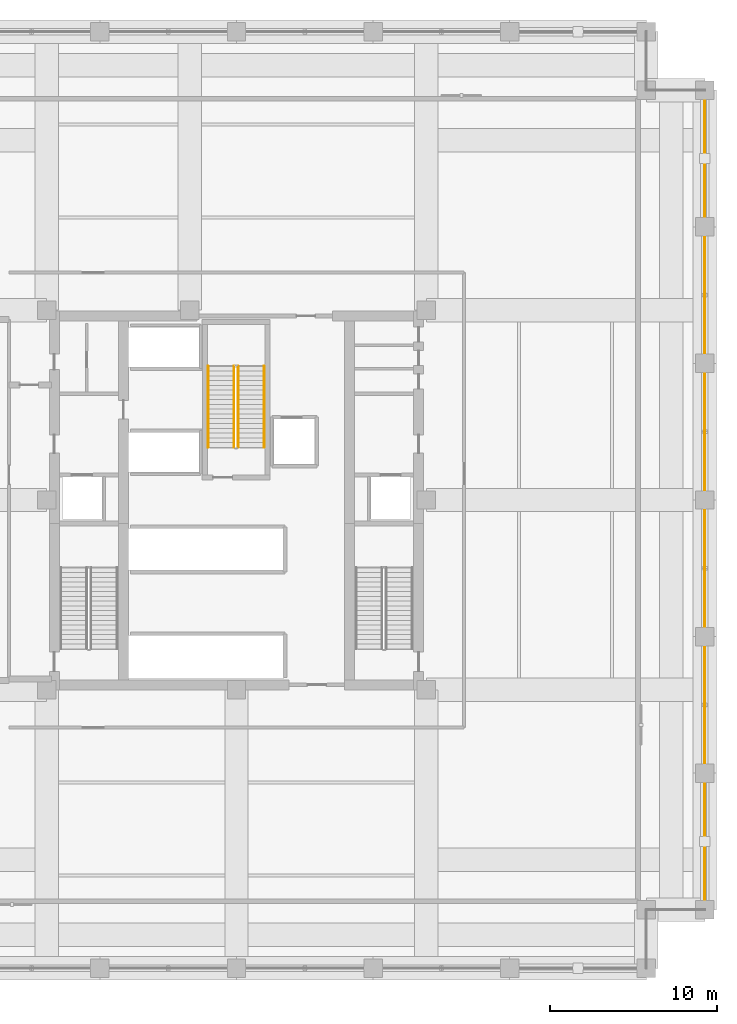
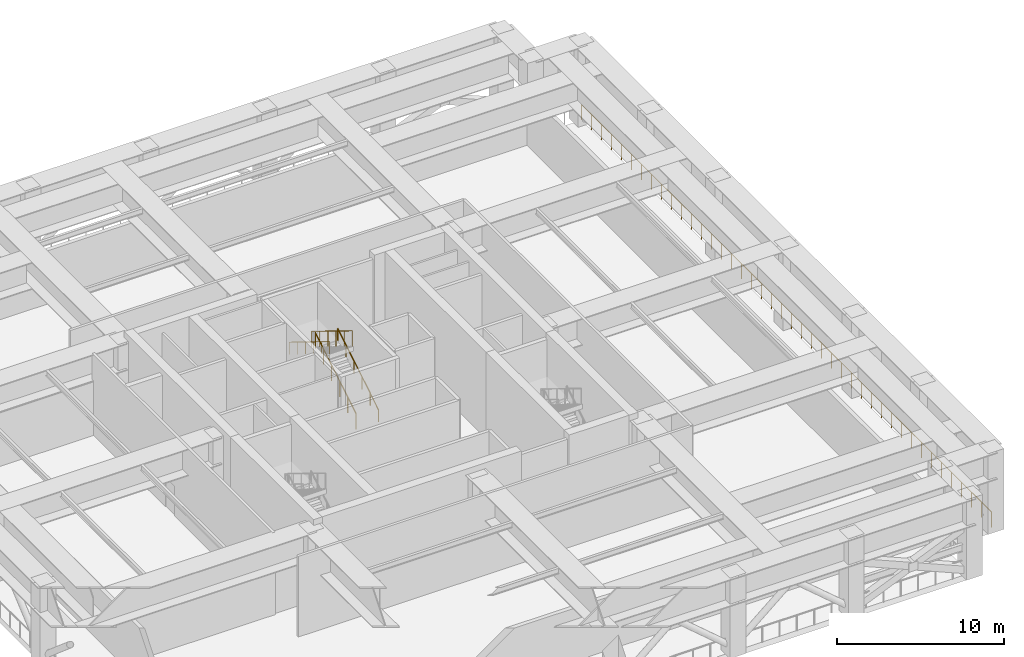
# One storey, part 10 of 12: 5 railings.
"""IFC4 building model written with IfcOpenShell, lengths in metres."""

from ifc_helpers import new_model, si_unit, direction, frame, origin, origin_2d, place, context, subcontext, project, spatial, circle, extrude, material, type_object, element, save


model = new_model("IFC4")

# Units and contexts
model_context = context("Model", 3, precision=1e-05, world=origin(), true_north=direction((0.0, 1.0)))
body_context = subcontext(model_context, "Body", "Model", "MODEL_VIEW")
ifc_project = project(units=[si_unit("LENGTHUNIT", "METRE"), si_unit("AREAUNIT", "SQUARE_METRE"), si_unit("VOLUMEUNIT", "CUBIC_METRE"), si_unit("PLANEANGLEUNIT", "RADIAN"), si_unit("MASSUNIT", "GRAM", prefix="KILO")], contexts=[model_context])

# Site, building, storey
site_placement = place(None, origin())
site = spatial("IfcSite", under=ifc_project, at=site_placement, CompositionType="ELEMENT")
building_placement = place(site_placement, origin())
building = spatial("IfcBuilding", under=site, at=building_placement, Name="Nhamokura Convention Tower", CompositionType="ELEMENT")
storey_placement = place(building_placement, frame((0.0, 0.0, 99.75)))
storey = spatial("IfcBuildingStorey", under=building, at=storey_placement, Name="L24", CompositionType="ELEMENT", Elevation=99.75)

# Railings
ifc_material_1 = material(Name="Anodised bronze stainless steel", Category="steel")
railing_type_1 = type_object("IfcRailingType", Name="StairWallHandrail_900", PredefinedType="HANDRAIL", material=ifc_material_1)
railing_1_placement = place(storey_placement, frame((33.64990234375, 35.14990234375, 0.175048828125)))
element("IfcRailing", 1, at=railing_1_placement, inside=storey, type_object=railing_type_1, Name="L24 ST-03 stair handrail 1", PredefinedType="HANDRAIL", context=body_context, shape_type="SweptSolid", body=[
    extrude(circle(Radius=0.02392578125, at=origin_2d()), frame((0.0, 0.0, 0.8759765625), z_axis=(0.0, 0.852193059838, 0.52322747325), x_axis=(-1.0, 0.0, 0.0)), (0.0, 0.0, 1.0), 5.685546875),
    extrude(circle(Radius=0.02099609375, at=origin_2d()), origin(), (0.0, 0.0, 1.0), 0.851806640625),
    extrude(circle(Radius=0.02099609375, at=origin_2d()), frame((0.0, 0.968994140625, 0.594970703125)), (0.0, 0.0, 1.0), 0.851806640625),
    extrude(circle(Radius=0.02099609375, at=origin_2d()), frame((0.0, 1.93798828125, 1.18994140625)), (0.0, 0.0, 1.0), 0.851806640625),
    extrude(circle(Radius=0.02099609375, at=origin_2d()), frame((0.0, 2.9072265625, 1.784912109375)), (0.0, 0.0, 1.0), 0.851806640625),
    extrude(circle(Radius=0.02099609375, at=origin_2d()), frame((0.0, 3.876220703125, 2.3798828125)), (0.0, 0.0, 1.0), 0.851806640625),
    extrude(circle(Radius=0.02099609375, at=origin_2d()), frame((0.0, 4.84521484375, 2.974853515625)), (0.0, 0.0, 1.0), 0.851806640625),
])
railing_2_placement = place(storey_placement, frame((30.300048828125, 39.9951171875, 3.324951171875)))
element("IfcRailing", 2, at=railing_2_placement, inside=storey, type_object=railing_type_1, Name="L24 ST-03 stair handrail 2", PredefinedType="HANDRAIL", context=body_context, shape_type="SweptSolid", body=[
    extrude(circle(Radius=0.02392578125, at=origin_2d()), frame((0.0, 0.0, 0.8759765625), z_axis=(0.0, -0.852173913015, 0.523258656858), x_axis=(1.0, 0.0, 0.0)), (0.0, 0.0, 1.0), 5.685791015625),
    extrude(circle(Radius=0.02099609375, at=origin_2d()), origin(), (0.0, 0.0, 1.0), 0.851806640625),
    extrude(circle(Radius=0.02099609375, at=origin_2d()), frame((0.0, -0.968994140625, 0.594970703125)), (0.0, 0.0, 1.0), 0.851806640625),
    extrude(circle(Radius=0.02099609375, at=origin_2d()), frame((0.0, -1.93798828125, 1.18994140625)), (0.0, 0.0, 1.0), 0.851806640625),
    extrude(circle(Radius=0.02099609375, at=origin_2d()), frame((0.0, -2.9072265625, 1.78515625)), (0.0, 0.0, 1.0), 0.851806640625),
    extrude(circle(Radius=0.02099609375, at=origin_2d()), frame((0.0, -3.876220703125, 2.380126953125)), (0.0, 0.0, 1.0), 0.851806640625),
    extrude(circle(Radius=0.02099609375, at=origin_2d()), frame((0.0, -4.84521484375, 2.97509765625)), (0.0, 0.0, 1.0), 0.851806640625),
])
ifc_material_2 = material(Name="Painted tubular steel", Category="steel")
railing_type_2 = type_object("IfcRailingType", Name="StairWellGuardrail_1150", PredefinedType="GUARDRAIL", material=ifc_material_2)
railing_3_placement = place(storey_placement, frame((32.10009765625, 35.14990234375, 0.175048828125)))
element("IfcRailing", 3, at=railing_3_placement, inside=storey, type_object=railing_type_2, Name="L24 ST-03 stair guard 1", PredefinedType="GUARDRAIL", context=body_context, shape_type="SweptSolid", body=[
    extrude(circle(Radius=0.02392578125, at=origin_2d()), frame((0.0, 0.0, 1.1259765625), z_axis=(0.0, 0.852193059838, 0.52322747325), x_axis=(-1.0, 0.0, 0.0)), (0.0, 0.0, 1.0), 5.685546875),
    extrude(circle(Radius=0.02099609375, at=origin_2d()), origin(), (0.0, 0.0, 1.0), 1.101806640625),
    extrude(circle(Radius=0.02099609375, at=origin_2d()), frame((0.0, 0.968994140625, 0.594970703125)), (0.0, 0.0, 1.0), 1.101806640625),
    extrude(circle(Radius=0.02099609375, at=origin_2d()), frame((0.0, 1.93798828125, 1.18994140625)), (0.0, 0.0, 1.0), 1.101806640625),
    extrude(circle(Radius=0.02099609375, at=origin_2d()), frame((0.0, 2.9072265625, 1.784912109375)), (0.0, 0.0, 1.0), 1.101806640625),
    extrude(circle(Radius=0.02099609375, at=origin_2d()), frame((0.0, 3.876220703125, 2.3798828125)), (0.0, 0.0, 1.0), 1.101806640625),
    extrude(circle(Radius=0.02099609375, at=origin_2d()), frame((0.0, 4.84521484375, 2.974853515625)), (0.0, 0.0, 1.0), 1.101806640625),
])
railing_4_placement = place(storey_placement, frame((31.85009765625, 39.9951171875, 3.324951171875)))
element("IfcRailing", 4, at=railing_4_placement, inside=storey, type_object=railing_type_2, Name="L24 ST-03 stair guard 3", PredefinedType="GUARDRAIL", context=body_context, shape_type="SweptSolid", body=[
    extrude(circle(Radius=0.02392578125, at=origin_2d()), frame((0.0, 0.0, 1.1259765625), z_axis=(0.0, -0.852173913015, 0.523258656858), x_axis=(1.0, 0.0, 0.0)), (0.0, 0.0, 1.0), 5.685791015625),
    extrude(circle(Radius=0.02099609375, at=origin_2d()), origin(), (0.0, 0.0, 1.0), 1.101806640625),
    extrude(circle(Radius=0.02099609375, at=origin_2d()), frame((0.0, -0.968994140625, 0.594970703125)), (0.0, 0.0, 1.0), 1.101806640625),
    extrude(circle(Radius=0.02099609375, at=origin_2d()), frame((0.0, -1.93798828125, 1.18994140625)), (0.0, 0.0, 1.0), 1.101806640625),
    extrude(circle(Radius=0.02099609375, at=origin_2d()), frame((0.0, -2.9072265625, 1.78515625)), (0.0, 0.0, 1.0), 1.101806640625),
    extrude(circle(Radius=0.02099609375, at=origin_2d()), frame((0.0, -3.876220703125, 2.380126953125)), (0.0, 0.0, 1.0), 1.101806640625),
    extrude(circle(Radius=0.02099609375, at=origin_2d()), frame((0.0, -4.84521484375, 2.97509765625)), (0.0, 0.0, 1.0), 1.101806640625),
])
ifc_material_3 = material(Name="Anodised bronze stainless steel", Category="steel")
railing_type_3 = type_object("IfcRailingType", Name="TerraceGuardrail_1150", PredefinedType="GUARDRAIL", material=ifc_material_3)
railing_5_placement = place(storey_placement, frame((60.0, 7.5, 0.0)))
element("IfcRailing", 5, at=railing_5_placement, inside=storey, type_object=railing_type_3, Name="L24 Perimeter Guardrail 04", PredefinedType="GUARDRAIL", context=body_context, shape_type="SweptSolid", body=[
    extrude(circle(Radius=0.02392578125, at=origin_2d()), frame((0.0, 0.0, 1.1259765625), z_axis=(0.0, 1.0, 0.0), x_axis=(-1.0, 0.0, 0.0)), (0.0, 0.0, 1.0), 49.0),
    extrude(circle(Radius=0.02099609375, at=origin_2d()), origin(), (0.0, 0.0, 1.0), 1.101806640625),
    extrude(circle(Radius=0.02099609375, at=origin_2d()), frame((0.0, 1.195068359375, 0.0)), (0.0, 0.0, 1.0), 1.101806640625),
    extrude(circle(Radius=0.02099609375, at=origin_2d()), frame((0.0, 2.39013671875, 0.0)), (0.0, 0.0, 1.0), 1.101806640625),
    extrude(circle(Radius=0.02099609375, at=origin_2d()), frame((0.0, 3.58544921875, 0.0)), (0.0, 0.0, 1.0), 1.101806640625),
    extrude(circle(Radius=0.02099609375, at=origin_2d()), frame((0.0, 4.780517578125, 0.0)), (0.0, 0.0, 1.0), 1.101806640625),
    extrude(circle(Radius=0.02099609375, at=origin_2d()), frame((0.0, 5.9755859375, 0.0)), (0.0, 0.0, 1.0), 1.101806640625),
    extrude(circle(Radius=0.02099609375, at=origin_2d()), frame((0.0, 7.170654296875, 0.0)), (0.0, 0.0, 1.0), 1.101806640625),
    extrude(circle(Radius=0.02099609375, at=origin_2d()), frame((0.0, 8.365966796875, 0.0)), (0.0, 0.0, 1.0), 1.101806640625),
    extrude(circle(Radius=0.02099609375, at=origin_2d()), frame((0.0, 9.56103515625, 0.0)), (0.0, 0.0, 1.0), 1.101806640625),
    extrude(circle(Radius=0.02099609375, at=origin_2d()), frame((0.0, 10.756103515625, 0.0)), (0.0, 0.0, 1.0), 1.101806640625),
    extrude(circle(Radius=0.02099609375, at=origin_2d()), frame((0.0, 11.951171875, 0.0)), (0.0, 0.0, 1.0), 1.101806640625),
    extrude(circle(Radius=0.02099609375, at=origin_2d()), frame((0.0, 13.146240234375, 0.0)), (0.0, 0.0, 1.0), 1.101806640625),
    extrude(circle(Radius=0.02099609375, at=origin_2d()), frame((0.0, 14.341552734375, 0.0)), (0.0, 0.0, 1.0), 1.101806640625),
    extrude(circle(Radius=0.02099609375, at=origin_2d()), frame((0.0, 15.53662109375, 0.0)), (0.0, 0.0, 1.0), 1.101806640625),
    extrude(circle(Radius=0.02099609375, at=origin_2d()), frame((0.0, 16.731689453125, 0.0)), (0.0, 0.0, 1.0), 1.101806640625),
    extrude(circle(Radius=0.02099609375, at=origin_2d()), frame((0.0, 17.9267578125, 0.0)), (0.0, 0.0, 1.0), 1.101806640625),
    extrude(circle(Radius=0.02099609375, at=origin_2d()), frame((0.0, 19.1220703125, 0.0)), (0.0, 0.0, 1.0), 1.101806640625),
    extrude(circle(Radius=0.02099609375, at=origin_2d()), frame((0.0, 20.317138671875, 0.0)), (0.0, 0.0, 1.0), 1.101806640625),
    extrude(circle(Radius=0.02099609375, at=origin_2d()), frame((0.0, 21.51220703125, 0.0)), (0.0, 0.0, 1.0), 1.101806640625),
    extrude(circle(Radius=0.02099609375, at=origin_2d()), frame((0.0, 22.707275390625, 0.0)), (0.0, 0.0, 1.0), 1.101806640625),
    extrude(circle(Radius=0.02099609375, at=origin_2d()), frame((0.0, 23.90234375, 0.0)), (0.0, 0.0, 1.0), 1.101806640625),
    extrude(circle(Radius=0.02099609375, at=origin_2d()), frame((0.0, 25.09765625, 0.0)), (0.0, 0.0, 1.0), 1.101806640625),
    extrude(circle(Radius=0.02099609375, at=origin_2d()), frame((0.0, 26.292724609375, 0.0)), (0.0, 0.0, 1.0), 1.101806640625),
    extrude(circle(Radius=0.02099609375, at=origin_2d()), frame((0.0, 27.48779296875, 0.0)), (0.0, 0.0, 1.0), 1.101806640625),
    extrude(circle(Radius=0.02099609375, at=origin_2d()), frame((0.0, 28.682861328125, 0.0)), (0.0, 0.0, 1.0), 1.101806640625),
    extrude(circle(Radius=0.02099609375, at=origin_2d()), frame((0.0, 29.8779296875, 0.0)), (0.0, 0.0, 1.0), 1.101806640625),
    extrude(circle(Radius=0.02099609375, at=origin_2d()), frame((0.0, 31.0732421875, 0.0)), (0.0, 0.0, 1.0), 1.101806640625),
    extrude(circle(Radius=0.02099609375, at=origin_2d()), frame((0.0, 32.268310546875, 0.0)), (0.0, 0.0, 1.0), 1.101806640625),
    extrude(circle(Radius=0.02099609375, at=origin_2d()), frame((0.0, 33.46337890625, 0.0)), (0.0, 0.0, 1.0), 1.101806640625),
    extrude(circle(Radius=0.02099609375, at=origin_2d()), frame((0.0, 34.658447265625, 0.0)), (0.0, 0.0, 1.0), 1.101806640625),
    extrude(circle(Radius=0.02099609375, at=origin_2d()), frame((0.0, 35.853759765625, 0.0)), (0.0, 0.0, 1.0), 1.101806640625),
    extrude(circle(Radius=0.02099609375, at=origin_2d()), frame((0.0, 37.048828125, 0.0)), (0.0, 0.0, 1.0), 1.101806640625),
    extrude(circle(Radius=0.02099609375, at=origin_2d()), frame((0.0, 38.243896484375, 0.0)), (0.0, 0.0, 1.0), 1.101806640625),
    extrude(circle(Radius=0.02099609375, at=origin_2d()), frame((0.0, 39.43896484375, 0.0)), (0.0, 0.0, 1.0), 1.101806640625),
    extrude(circle(Radius=0.02099609375, at=origin_2d()), frame((0.0, 40.634033203125, 0.0)), (0.0, 0.0, 1.0), 1.101806640625),
    extrude(circle(Radius=0.02099609375, at=origin_2d()), frame((0.0, 41.829345703125, 0.0)), (0.0, 0.0, 1.0), 1.101806640625),
    extrude(circle(Radius=0.02099609375, at=origin_2d()), frame((0.0, 43.0244140625, 0.0)), (0.0, 0.0, 1.0), 1.101806640625),
    extrude(circle(Radius=0.02099609375, at=origin_2d()), frame((0.0, 44.219482421875, 0.0)), (0.0, 0.0, 1.0), 1.101806640625),
    extrude(circle(Radius=0.02099609375, at=origin_2d()), frame((0.0, 45.41455078125, 0.0)), (0.0, 0.0, 1.0), 1.101806640625),
    extrude(circle(Radius=0.02099609375, at=origin_2d()), frame((0.0, 46.60986328125, 0.0)), (0.0, 0.0, 1.0), 1.101806640625),
    extrude(circle(Radius=0.02099609375, at=origin_2d()), frame((0.0, 47.804931640625, 0.0)), (0.0, 0.0, 1.0), 1.101806640625),
    extrude(circle(Radius=0.02099609375, at=origin_2d()), frame((0.0, 49.0, 0.0)), (0.0, 0.0, 1.0), 1.101806640625),
])

save(model, "model.ifc")
